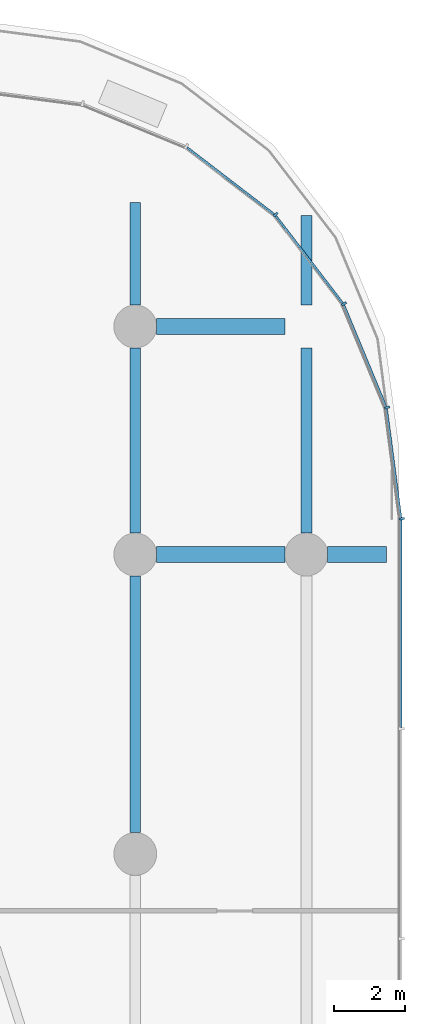
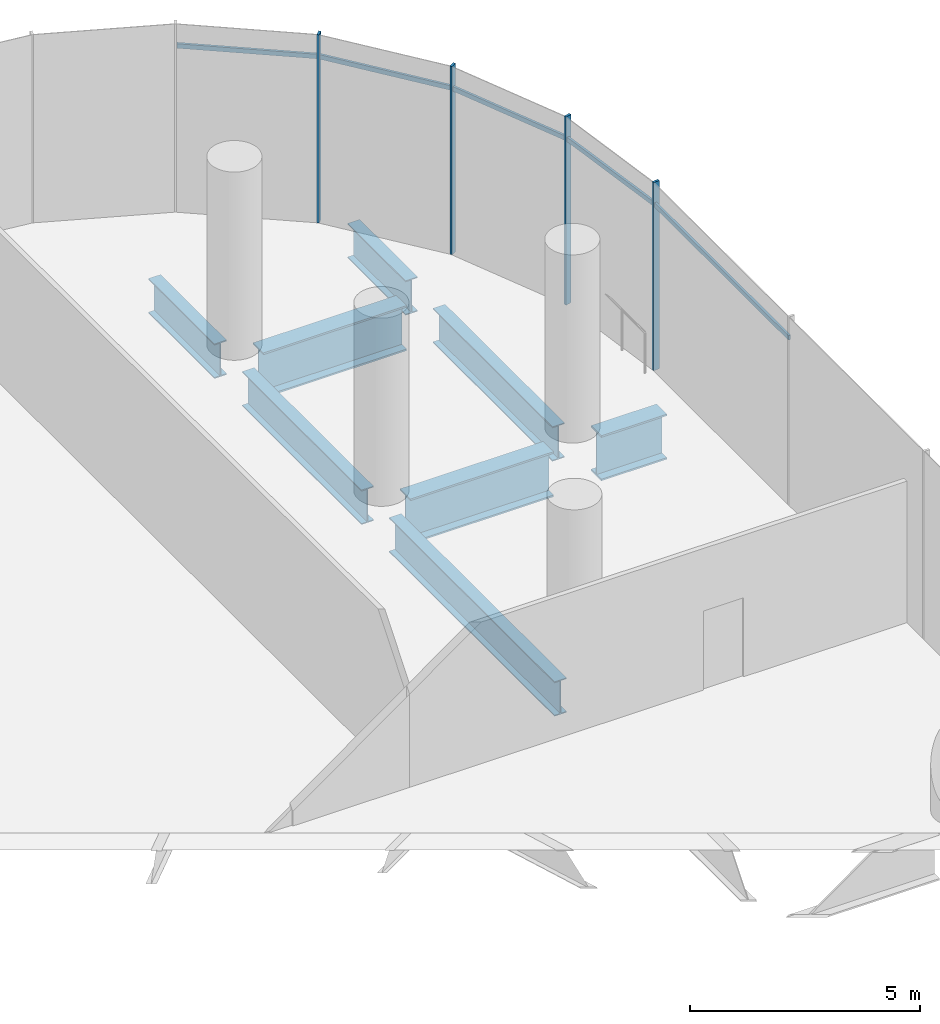
# One storey, part 29 of 51: 9 members, 8 beams, 1 element without a shape of its own.
"""IFC4 building model written with IfcOpenShell, lengths in metres."""

from ifc_helpers import new_model, si_unit, direction, frame, origin, origin_2d, place, context, subcontext, project, spatial, rectangle, i_section, extrude, material, material_profile, profile_set, type_object, element, aggregate, save


model = new_model("IFC4")

# Units and contexts
model_context = context("Model", 3, precision=1e-05, world=origin(), true_north=direction((0.0, 1.0)))
body_context = subcontext(model_context, "Body", "Model", "MODEL_VIEW")
ifc_project = project(units=[si_unit("LENGTHUNIT", "METRE"), si_unit("AREAUNIT", "SQUARE_METRE"), si_unit("VOLUMEUNIT", "CUBIC_METRE"), si_unit("PLANEANGLEUNIT", "RADIAN"), si_unit("MASSUNIT", "GRAM", prefix="KILO")], contexts=[model_context])

# Site, building, storey
site_placement = place(None, origin())
site = spatial("IfcSite", under=ifc_project, at=site_placement, CompositionType="ELEMENT")
building_placement = place(site_placement, origin())
building = spatial("IfcBuilding", under=site, at=building_placement, Name="Rimbun Link Towers", CompositionType="ELEMENT")
storey_placement = place(building_placement, frame((0.0, 0.0, 7.0)))
storey = spatial("IfcBuildingStorey", under=building, at=storey_placement, Name="L01", CompositionType="ELEMENT", Elevation=7.0)

# Curtain wall, members
ifc_material_1 = material(Name="Aluminium 6063-T6 and low-iron glass", Category="aluminium")
curtain_wall_type = type_object("IfcCurtainWallType", Name="CW3 podium shopfront", PredefinedType="NOTDEFINED", material=ifc_material_1)
curtain_wall_placement = place(storey_placement, origin())
curtain_wall = element("IfcCurtainWall", 1, at=curtain_wall_placement, inside=storey, type_object=curtain_wall_type, Name="CW3 L01 PD", PredefinedType="NOTDEFINED")
ifc_material_2 = material(Name="Aluminium 6063-T6", Category="aluminium")
ifc_material_profile_1 = material_profile(ifc_material_2, rectangle(XDim=0.14990234375, YDim=0.06005859375, at=origin_2d()), Name="MULLION 60X150")
ifc_profile_set_1 = profile_set([ifc_material_profile_1], Name="Aluminium 6063-T6")
member_type_1 = type_object("IfcMemberType", Name="CW3 mullion 60X150", PredefinedType="MULLION", material=ifc_profile_set_1)
member_1_placement = place(storey_placement, frame((62.074951171875, 22.0048828125, 0.0), z_axis=(0.0, 0.0, 1.0), x_axis=(0.997858781723, 0.065405288299, 0.0)))
member_1 = element("IfcMember", 2, at=member_1_placement, type_object=member_type_1, Name="CW3 mullion", PredefinedType="MULLION", context=body_context, shape_type="SweptSolid", body=[
    extrude(rectangle(XDim=0.14990234375, YDim=0.06005859375, at=origin_2d()), origin(), (0.0, 0.0, 1.0), 5.0),
])
member_2_placement = place(storey_placement, frame((61.66357421875, 25.125244140625, 0.0), z_axis=(0.0, 0.0, 1.0), x_axis=(0.965925910978, 0.258818729038, 0.0)))
member_2 = element("IfcMember", 3, at=member_2_placement, type_object=member_type_1, Name="CW3 mullion", PredefinedType="MULLION", context=body_context, shape_type="SweptSolid", body=[
    extrude(rectangle(XDim=0.14990234375, YDim=0.06005859375, at=origin_2d()), origin(), (0.0, 0.0, 1.0), 5.0),
])
member_3_placement = place(storey_placement, frame((60.457275390625, 28.03759765625, 0.0), z_axis=(0.0, 0.0, 1.0), x_axis=(0.866029040155, 0.499993701568, 0.0)))
member_3 = element("IfcMember", 4, at=member_3_placement, type_object=member_type_1, Name="CW3 mullion", PredefinedType="MULLION", context=body_context, shape_type="SweptSolid", body=[
    extrude(rectangle(XDim=0.14990234375, YDim=0.06005859375, at=origin_2d()), origin(), (0.0, 0.0, 1.0), 5.0),
])
member_4_placement = place(storey_placement, frame((58.538330078125, 30.538330078125, 0.0), z_axis=(0.0, 0.0, 1.0), x_axis=(0.707106781187, 0.707106781187, 0.0)))
member_4 = element("IfcMember", 5, at=member_4_placement, type_object=member_type_1, Name="CW3 mullion", PredefinedType="MULLION", context=body_context, shape_type="SweptSolid", body=[
    extrude(rectangle(XDim=0.14990234375, YDim=0.06005859375, at=origin_2d()), origin(), (0.0, 0.0, 1.0), 5.0),
])
ifc_material_3 = material(Name="Aluminium 6063-T6", Category="aluminium")
ifc_material_profile_2 = material_profile(ifc_material_3, rectangle(XDim=0.06005859375, YDim=0.1201171875, at=origin_2d()), Name="TRANSOM 60X120")
ifc_profile_set_2 = profile_set([ifc_material_profile_2], Name="Aluminium 6063-T6")
member_type_2 = type_object("IfcMemberType", Name="CW3 transom 60X120", PredefinedType="USERDEFINED", material=ifc_profile_set_2)
member_5_placement = place(storey_placement, frame((62.053955078125, 21.969970703125, 4.39990234375), z_axis=(0.0, -1.0, 0.0), x_axis=(1.0, 0.0, 0.0)))
member_5 = element("IfcMember", 6, at=member_5_placement, type_object=member_type_2, Name="CW3 transom", ObjectType="TRANSOM", PredefinedType="USERDEFINED", context=body_context, shape_type="SweptSolid", body=[
    extrude(rectangle(XDim=0.06005859375, YDim=0.1201171875, at=origin_2d()), origin(), (0.0, 0.0, 1.0), 5.828857421875),
])
member_6_placement = place(storey_placement, frame((61.6484375, 25.0830078125, 4.39990234375), z_axis=(0.130555231638, -0.991441037829, 0.0), x_axis=(0.991441037829, 0.130555231638, 0.0)))
member_6 = element("IfcMember", 7, at=member_6_placement, type_object=member_type_2, Name="CW3 transom", ObjectType="TRANSOM", PredefinedType="USERDEFINED", context=body_context, shape_type="SweptSolid", body=[
    extrude(rectangle(XDim=0.06005859375, YDim=0.1201171875, at=origin_2d()), origin(), (0.0, 0.0, 1.0), 3.072509765625),
])
member_7_placement = place(storey_placement, frame((60.45361328125, 27.992919921875, 4.39990234375), z_axis=(0.382679289053, -0.923881248716, 0.0), x_axis=(0.923881248716, 0.382679289053, 0.0)))
member_7 = element("IfcMember", 8, at=member_7_placement, type_object=member_type_2, Name="CW3 transom", ObjectType="TRANSOM", PredefinedType="USERDEFINED", context=body_context, shape_type="SweptSolid", body=[
    extrude(rectangle(XDim=0.06005859375, YDim=0.1201171875, at=origin_2d()), origin(), (0.0, 0.0, 1.0), 3.072509765625),
])
member_8_placement = place(storey_placement, frame((58.54638671875, 30.494384765625, 4.39990234375), z_axis=(0.608773432314, -0.793344129687, 0.0), x_axis=(0.793344129687, 0.608773432314, 0.0)))
member_8 = element("IfcMember", 9, at=member_8_placement, type_object=member_type_2, Name="CW3 transom", ObjectType="TRANSOM", PredefinedType="USERDEFINED", context=body_context, shape_type="SweptSolid", body=[
    extrude(rectangle(XDim=0.06005859375, YDim=0.1201171875, at=origin_2d()), origin(), (0.0, 0.0, 1.0), 3.07275390625),
])
member_9_placement = place(storey_placement, frame((56.056640625, 32.4169921875, 4.39990234375), z_axis=(0.793344129687, -0.608773432314, 0.0), x_axis=(0.608773432314, 0.793344129687, 0.0)))
member_9 = element("IfcMember", 10, at=member_9_placement, type_object=member_type_2, Name="CW3 transom", ObjectType="TRANSOM", PredefinedType="USERDEFINED", context=body_context, shape_type="SweptSolid", body=[
    extrude(rectangle(XDim=0.06005859375, YDim=0.1201171875, at=origin_2d()), origin(), (0.0, 0.0, 1.0), 3.07275390625),
])
aggregate(curtain_wall, [member_1, member_2, member_3, member_4, member_5, member_6, member_7, member_8, member_9])

# Beams
ifc_material_4 = material(Name="Steel S355J2", Category="steel")
ifc_material_profile_3 = material_profile(ifc_material_4, i_section(OverallWidth=0.449951171875, OverallDepth=1.199951171875, WebThickness=0.030029296875, FlangeThickness=0.044921875, at=origin_2d()), Name="PG 1200x450x30/45")
ifc_profile_set_3 = profile_set([ifc_material_profile_3], Name="Steel S355J2")
beam_type_1 = type_object("IfcBeamType", Name="PG 1200x450x30/45", PredefinedType="BEAM", material=ifc_profile_set_3)
beam_1_placement = place(storey_placement, frame((55.199951171875, 21.0, -0.89990234375), z_axis=(1.0, 0.0, 0.0), x_axis=(0.0, 1.0, 0.0)))
element("IfcBeam", 11, at=beam_1_placement, inside=storey, type_object=beam_type_1, Name="Grid beam L01 +21.0", PredefinedType="BEAM", context=body_context, shape_type="SweptSolid", body=[
    extrude(i_section(OverallWidth=0.449951171875, OverallDepth=1.199951171875, WebThickness=0.030029296875, FlangeThickness=0.044921875, at=origin_2d()), origin(), (0.0, 0.0, 1.0), 3.60009765625),
])
beam_2_placement = place(storey_placement, frame((60.0, 21.0, -0.89990234375), z_axis=(1.0, 0.0, 0.0), x_axis=(0.0, 1.0, 0.0)))
element("IfcBeam", 12, at=beam_2_placement, inside=storey, type_object=beam_type_1, Name="Grid beam L01 +21.0", PredefinedType="BEAM", context=body_context, shape_type="SweptSolid", body=[
    extrude(i_section(OverallWidth=0.449951171875, OverallDepth=1.199951171875, WebThickness=0.030029296875, FlangeThickness=0.044921875, at=origin_2d()), origin(), (0.0, 0.0, 1.0), 1.649169921875),
])
beam_3_placement = place(storey_placement, frame((55.199951171875, 27.39990234375, -0.89990234375), z_axis=(1.0, 0.0, 0.0), x_axis=(0.0, 1.0, 0.0)))
element("IfcBeam", 13, at=beam_3_placement, inside=storey, type_object=beam_type_1, Name="Grid beam L01 +27.4", PredefinedType="BEAM", context=body_context, shape_type="SweptSolid", body=[
    extrude(i_section(OverallWidth=0.449951171875, OverallDepth=1.199951171875, WebThickness=0.030029296875, FlangeThickness=0.044921875, at=origin_2d()), origin(), (0.0, 0.0, 1.0), 3.60009765625),
])
ifc_material_5 = material(Name="Steel S355J2", Category="steel")
ifc_material_profile_4 = material_profile(ifc_material_5, i_section(OverallWidth=0.305419921875, OverallDepth=0.91845703125, WebThickness=0.017333984375, FlangeThickness=0.02783203125, at=origin_2d()), Name="UB 914x305x253")
ifc_profile_set_4 = profile_set([ifc_material_profile_4], Name="Steel S355J2")
beam_type_2 = type_object("IfcBeamType", Name="UB 914x305x253", PredefinedType="BEAM", material=ifc_profile_set_4)
beam_4_placement = place(storey_placement, frame((54.60009765625, 13.199951171875, -0.75927734375), z_axis=(0.0, 1.0, 0.0), x_axis=(-1.0, 0.0, 0.0)))
element("IfcBeam", 14, at=beam_4_placement, inside=storey, type_object=beam_type_2, Name="Grid beam L01 +54.6", PredefinedType="BEAM", context=body_context, shape_type="SweptSolid", body=[
    extrude(i_section(OverallWidth=0.305419921875, OverallDepth=0.91845703125, WebThickness=0.017333984375, FlangeThickness=0.02783203125, at=origin_2d()), origin(), (0.0, 0.0, 1.0), 7.199951171875),
])
beam_5_placement = place(storey_placement, frame((54.60009765625, 21.60009765625, -0.75927734375), z_axis=(0.0, 1.0, 0.0), x_axis=(-1.0, 0.0, 0.0)))
element("IfcBeam", 15, at=beam_5_placement, inside=storey, type_object=beam_type_2, Name="Grid beam L01 +54.6", PredefinedType="BEAM", context=body_context, shape_type="SweptSolid", body=[
    extrude(i_section(OverallWidth=0.305419921875, OverallDepth=0.91845703125, WebThickness=0.017333984375, FlangeThickness=0.02783203125, at=origin_2d()), origin(), (0.0, 0.0, 1.0), 5.199951171875),
])
beam_6_placement = place(storey_placement, frame((54.60009765625, 28.0, -0.75927734375), z_axis=(0.0, 1.0, 0.0), x_axis=(-1.0, 0.0, 0.0)))
element("IfcBeam", 16, at=beam_6_placement, inside=storey, type_object=beam_type_2, Name="Grid beam L01 +54.6", PredefinedType="BEAM", context=body_context, shape_type="SweptSolid", body=[
    extrude(i_section(OverallWidth=0.305419921875, OverallDepth=0.91845703125, WebThickness=0.017333984375, FlangeThickness=0.02783203125, at=origin_2d()), origin(), (0.0, 0.0, 1.0), 2.875),
])
beam_7_placement = place(storey_placement, frame((59.39990234375, 21.60009765625, -0.75927734375), z_axis=(0.0, 1.0, 0.0), x_axis=(-1.0, 0.0, 0.0)))
element("IfcBeam", 17, at=beam_7_placement, inside=storey, type_object=beam_type_2, Name="Grid beam L01 +59.4", PredefinedType="BEAM", context=body_context, shape_type="SweptSolid", body=[
    extrude(i_section(OverallWidth=0.305419921875, OverallDepth=0.91845703125, WebThickness=0.017333984375, FlangeThickness=0.02783203125, at=origin_2d()), origin(), (0.0, 0.0, 1.0), 5.199951171875),
])
beam_8_placement = place(storey_placement, frame((59.39990234375, 28.0, -0.75927734375), z_axis=(0.0, 1.0, 0.0), x_axis=(-1.0, 0.0, 0.0)))
element("IfcBeam", 18, at=beam_8_placement, inside=storey, type_object=beam_type_2, Name="Grid beam L01 +59.4", PredefinedType="BEAM", context=body_context, shape_type="SweptSolid", body=[
    extrude(i_section(OverallWidth=0.305419921875, OverallDepth=0.91845703125, WebThickness=0.017333984375, FlangeThickness=0.02783203125, at=origin_2d()), origin(), (0.0, 0.0, 1.0), 2.518310546875),
])

save(model, "model.ifc")
